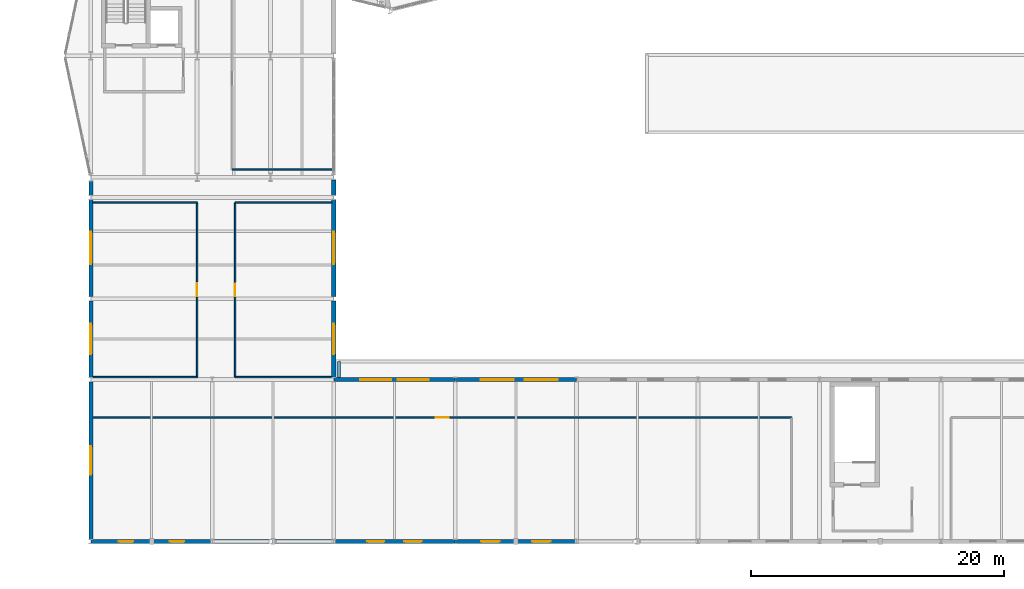
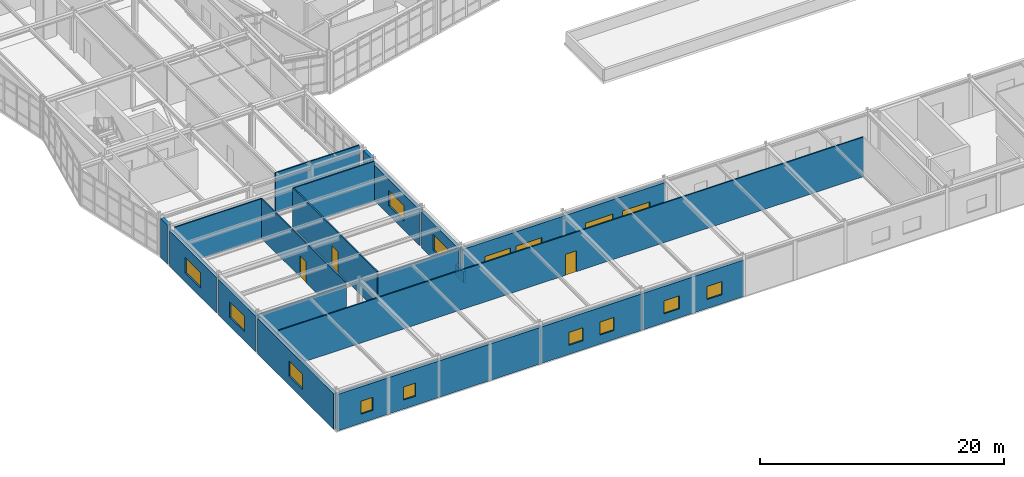
# One storey, part 78 of 99: 22 walls, 15 windows, 3 doors, 18 openings.
"""IFC4 building model written with IfcOpenShell, lengths in metres."""

from ifc_helpers import new_model, si_unit, direction, frame, frame_2d, origin, place, context, subcontext, project, spatial, rectangle, extrude, material, layer, layer_set, type_object, element, fill, save


model = new_model("IFC4")

# Units and contexts
model_context = context("Model", 3, precision=1e-05, world=origin(), true_north=direction((0.0, 1.0)))
body_context = subcontext(model_context, "Body", "Model", "MODEL_VIEW")
ifc_project = project(units=[si_unit("LENGTHUNIT", "METRE"), si_unit("AREAUNIT", "SQUARE_METRE"), si_unit("VOLUMEUNIT", "CUBIC_METRE"), si_unit("PLANEANGLEUNIT", "RADIAN"), si_unit("MASSUNIT", "GRAM", prefix="KILO")], contexts=[model_context])

# Site, building, storey
site_placement = place(None, origin())
site = spatial("IfcSite", under=ifc_project, at=site_placement, CompositionType="ELEMENT")
building_placement = place(site_placement, origin())
building = spatial("IfcBuilding", under=site, at=building_placement, Name="Nordkorset Police Headquarters", CompositionType="ELEMENT")
storey_placement = place(building_placement, frame((0.0, 0.0, 5.25)))
storey = spatial("IfcBuildingStorey", under=building, at=storey_placement, Name="L01", CompositionType="ELEMENT", Elevation=5.25)

# Wall, openings, windows
ifc_material_1 = material(Name="Precast concrete C40/50", Category="concrete")
ifc_layer_1 = layer(ifc_material_1, 0.320068359375, Name="Precast concrete C40/50")
ifc_layer_set_1 = layer_set([ifc_layer_1], Name="Precast concrete C40/50")
wall_type_1 = type_object("IfcWallType", Name="Wall_ExtPlinth_320", PredefinedType="SOLIDWALL", material=ifc_layer_set_1)
wall_1_placement = place(storey_placement, frame((0.008056640625, 0.0, 0.0), z_axis=(0.0, 0.0, 1.0), x_axis=(1.0, 0.0, 0.0)))
wall_1 = element("IfcWall", 1, at=wall_1_placement, inside=storey, type_object=wall_type_1, Name="Exterior Insulated Precast Wall L01 V7S-0", PredefinedType="SOLIDWALL", context=body_context, shape_type="SweptSolid", body=[
    extrude(rectangle(XDim=9.583984375, YDim=0.320068359375, at=frame_2d((4.7919921875, 0.0))), origin(), (0.0, 0.0, 1.0), 3.635009765625),
])
opening_1_placement = place(wall_1_placement, frame((2.2001953125, 0.0, 0.89990234375)))
opening_1 = element("IfcOpeningElement", 2, at=opening_1_placement, cuts=wall_1, Name="Opening WN-48", PredefinedType="OPENING", context=body_context, shape_type="SweptSolid", body=[
    extrude(rectangle(XDim=1.14990234375, YDim=1.300048828125, at=frame_2d((0.574951171875, 0.64990234375))), frame((0.0, 0.169921875, 0.0), z_axis=(0.0, -1.0, 0.0), x_axis=(1.0, 0.0, 0.0)), (0.0, 0.0, 1.0), 0.340087890625),
])
opening_2_placement = place(wall_1_placement, frame((6.233642578125, 0.0, 0.89990234375)))
opening_2 = element("IfcOpeningElement", 3, at=opening_2_placement, cuts=wall_1, Name="Opening WN-48", PredefinedType="OPENING", context=body_context, shape_type="SweptSolid", body=[
    extrude(rectangle(XDim=1.14990234375, YDim=1.300048828125, at=frame_2d((0.574951171875, 0.64990234375))), frame((0.0, 0.169921875, 0.0), z_axis=(0.0, -1.0, 0.0), x_axis=(1.0, 0.0, 0.0)), (0.0, 0.0, 1.0), 0.340087890625),
])
ifc_material_2 = material(Name="Low-iron triple glazing", Category="glass")
window_type_1 = type_object("IfcWindowType", Name="Win_1150x1300", PartitioningType="SINGLE_PANEL", PredefinedType="WINDOW", material=ifc_material_2)
window_1_placement = place(opening_1_placement, origin())
window_1 = element("IfcWindow", 4, at=window_1_placement, inside=storey, type_object=window_type_1, Name="Triple-Glazed Exterior Window L01 V7S-0-1", OverallHeight=1.300048828125, OverallWidth=1.14990234375, PartitioningType="SINGLE_PANEL", PredefinedType="WINDOW", context=body_context, shape_type="SweptSolid", body=[
    extrude(rectangle(XDim=1.14990234375, YDim=1.300048828125, at=frame_2d((0.574951171875, 0.64990234375))), frame((0.0, 0.030029296875, 0.0), z_axis=(0.0, -1.0, 0.0), x_axis=(1.0, 0.0, 0.0)), (0.0, 0.0, 1.0), 0.06005859375),
])
fill(opening_1, window_1)
window_2_placement = place(opening_2_placement, origin())
window_2 = element("IfcWindow", 5, at=window_2_placement, inside=storey, type_object=window_type_1, Name="Triple-Glazed Exterior Window L01 V7S-0-2", OverallHeight=1.300048828125, OverallWidth=1.14990234375, PartitioningType="SINGLE_PANEL", PredefinedType="WINDOW", context=body_context, shape_type="SweptSolid", body=[
    extrude(rectangle(XDim=1.14990234375, YDim=1.300048828125, at=frame_2d((0.574951171875, 0.64990234375))), frame((0.0, 0.030029296875, 0.0), z_axis=(0.0, -1.0, 0.0), x_axis=(1.0, 0.0, 0.0)), (0.0, 0.0, 1.0), 0.06005859375),
])
fill(opening_2, window_2)

# Wall
wall_2_placement = place(storey_placement, frame((9.60791015625, 0.0, 0.0), z_axis=(0.0, 0.0, 1.0), x_axis=(1.0, 0.0, 0.0)))
element("IfcWall", 6, at=wall_2_placement, inside=storey, type_object=wall_type_1, Name="Exterior Insulated Precast Wall L01 V7S-1", PredefinedType="SOLIDWALL", context=body_context, shape_type="SweptSolid", body=[
    extrude(rectangle(XDim=9.583984375, YDim=0.320068359375, at=frame_2d((4.7919921875, 0.0))), origin(), (0.0, 0.0, 1.0), 3.635009765625),
])

# Wall, openings, windows
wall_3_placement = place(storey_placement, frame((19.2080078125, 0.0, 0.0), z_axis=(0.0, 0.0, 1.0), x_axis=(1.0, 0.0, 0.0)))
wall_3 = element("IfcWall", 7, at=wall_3_placement, inside=storey, type_object=wall_type_1, Name="Exterior Insulated Precast Wall L01 V7S-2", PredefinedType="SOLIDWALL", context=body_context, shape_type="SweptSolid", body=[
    extrude(rectangle(XDim=9.583984375, YDim=0.320068359375, at=frame_2d((4.7919921875, 0.0))), origin(), (0.0, 0.0, 1.0), 3.635009765625),
])
opening_3_placement = place(wall_3_placement, frame((2.650390625, 0.0, 0.89990234375)))
opening_3 = element("IfcOpeningElement", 8, at=opening_3_placement, cuts=wall_3, Name="Opening WN-27", PredefinedType="OPENING", context=body_context, shape_type="SweptSolid", body=[
    extrude(rectangle(XDim=1.35009765625, YDim=1.300048828125, at=frame_2d((0.675048828125, 0.64990234375))), frame((0.0, 0.169921875, 0.0), z_axis=(0.0, -1.0, 0.0), x_axis=(1.0, 0.0, 0.0)), (0.0, 0.0, 1.0), 0.340087890625),
])
opening_4_placement = place(wall_3_placement, frame((5.583740234375, 0.0, 0.89990234375)))
opening_4 = element("IfcOpeningElement", 9, at=opening_4_placement, cuts=wall_3, Name="Opening WN-27", PredefinedType="OPENING", context=body_context, shape_type="SweptSolid", body=[
    extrude(rectangle(XDim=1.35009765625, YDim=1.300048828125, at=frame_2d((0.675048828125, 0.64990234375))), frame((0.0, 0.169921875, 0.0), z_axis=(0.0, -1.0, 0.0), x_axis=(1.0, 0.0, 0.0)), (0.0, 0.0, 1.0), 0.340087890625),
])
ifc_material_3 = material(Name="Low-iron triple glazing", Category="glass")
window_type_2 = type_object("IfcWindowType", Name="Win_1350x1300", PartitioningType="SINGLE_PANEL", PredefinedType="WINDOW", material=ifc_material_3)
window_3_placement = place(opening_3_placement, origin())
window_3 = element("IfcWindow", 10, at=window_3_placement, inside=storey, type_object=window_type_2, Name="Triple-Glazed Exterior Window L01 V7S-2-1", OverallHeight=1.300048828125, OverallWidth=1.35009765625, PartitioningType="SINGLE_PANEL", PredefinedType="WINDOW", context=body_context, shape_type="SweptSolid", body=[
    extrude(rectangle(XDim=1.35009765625, YDim=1.300048828125, at=frame_2d((0.675048828125, 0.64990234375))), frame((0.0, 0.030029296875, 0.0), z_axis=(0.0, -1.0, 0.0), x_axis=(1.0, 0.0, 0.0)), (0.0, 0.0, 1.0), 0.06005859375),
])
fill(opening_3, window_3)
window_4_placement = place(opening_4_placement, origin())
window_4 = element("IfcWindow", 11, at=window_4_placement, inside=storey, type_object=window_type_2, Name="Triple-Glazed Exterior Window L01 V7S-2-2", OverallHeight=1.300048828125, OverallWidth=1.35009765625, PartitioningType="SINGLE_PANEL", PredefinedType="WINDOW", context=body_context, shape_type="SweptSolid", body=[
    extrude(rectangle(XDim=1.35009765625, YDim=1.300048828125, at=frame_2d((0.675048828125, 0.64990234375))), frame((0.0, 0.030029296875, 0.0), z_axis=(0.0, -1.0, 0.0), x_axis=(1.0, 0.0, 0.0)), (0.0, 0.0, 1.0), 0.06005859375),
])
fill(opening_4, window_4)

wall_4_placement = place(storey_placement, frame((28.80810546875, 0.0, 0.0), z_axis=(0.0, 0.0, 1.0), x_axis=(1.0, 0.0, 0.0)))
wall_4 = element("IfcWall", 12, at=wall_4_placement, inside=storey, type_object=wall_type_1, Name="Exterior Insulated Precast Wall L01 V7S-3", PredefinedType="SOLIDWALL", context=body_context, shape_type="SweptSolid", body=[
    extrude(rectangle(XDim=9.583984375, YDim=0.320068359375, at=frame_2d((4.7919921875, 0.0))), origin(), (0.0, 0.0, 1.0), 3.635009765625),
])
opening_5_placement = place(wall_4_placement, frame((2.05029296875, 0.0, 0.89990234375)))
opening_5 = element("IfcOpeningElement", 13, at=opening_5_placement, cuts=wall_4, Name="Opening WN-02", PredefinedType="OPENING", context=body_context, shape_type="SweptSolid", body=[
    extrude(rectangle(XDim=1.449951171875, YDim=1.300048828125, at=frame_2d((0.72509765625, 0.64990234375))), frame((0.0, 0.169921875, 0.0), z_axis=(0.0, -1.0, 0.0), x_axis=(1.0, 0.0, 0.0)), (0.0, 0.0, 1.0), 0.340087890625),
])
opening_6_placement = place(wall_4_placement, frame((6.083740234375, 0.0, 0.89990234375)))
opening_6 = element("IfcOpeningElement", 14, at=opening_6_placement, cuts=wall_4, Name="Opening WN-02", PredefinedType="OPENING", context=body_context, shape_type="SweptSolid", body=[
    extrude(rectangle(XDim=1.449951171875, YDim=1.300048828125, at=frame_2d((0.72509765625, 0.64990234375))), frame((0.0, 0.169921875, 0.0), z_axis=(0.0, -1.0, 0.0), x_axis=(1.0, 0.0, 0.0)), (0.0, 0.0, 1.0), 0.340087890625),
])
ifc_material_4 = material(Name="Low-iron triple glazing", Category="glass")
window_type_3 = type_object("IfcWindowType", Name="Win_1450x1300", PartitioningType="SINGLE_PANEL", PredefinedType="WINDOW", material=ifc_material_4)
window_5_placement = place(opening_5_placement, origin())
window_5 = element("IfcWindow", 15, at=window_5_placement, inside=storey, type_object=window_type_3, Name="Triple-Glazed Exterior Window L01 V7S-3-1", OverallHeight=1.300048828125, OverallWidth=1.449951171875, PartitioningType="SINGLE_PANEL", PredefinedType="WINDOW", context=body_context, shape_type="SweptSolid", body=[
    extrude(rectangle(XDim=1.449951171875, YDim=1.300048828125, at=frame_2d((0.72509765625, 0.64990234375))), frame((0.0, 0.030029296875, 0.0), z_axis=(0.0, -1.0, 0.0), x_axis=(1.0, 0.0, 0.0)), (0.0, 0.0, 1.0), 0.06005859375),
])
fill(opening_5, window_5)
window_6_placement = place(opening_6_placement, origin())
window_6 = element("IfcWindow", 16, at=window_6_placement, inside=storey, type_object=window_type_3, Name="Triple-Glazed Exterior Window L01 V7S-3-2", OverallHeight=1.300048828125, OverallWidth=1.449951171875, PartitioningType="SINGLE_PANEL", PredefinedType="WINDOW", context=body_context, shape_type="SweptSolid", body=[
    extrude(rectangle(XDim=1.449951171875, YDim=1.300048828125, at=frame_2d((0.72509765625, 0.64990234375))), frame((0.0, 0.030029296875, 0.0), z_axis=(0.0, -1.0, 0.0), x_axis=(1.0, 0.0, 0.0)), (0.0, 0.0, 1.0), 0.06005859375),
])
fill(opening_6, window_6)

# Wall, opening, window
wall_5_placement = place(storey_placement, frame((0.0, 0.172119140625, 0.0), z_axis=(0.0, 0.0, 1.0), x_axis=(0.0, 1.0, 0.0)))
wall_5 = element("IfcWall", 17, at=wall_5_placement, inside=storey, type_object=wall_type_1, Name="Exterior Insulated Precast Wall L01 V7W-OUT-0", PredefinedType="SOLIDWALL", context=body_context, shape_type="SweptSolid", body=[
    extrude(rectangle(XDim=12.455810546875, YDim=0.320068359375, at=frame_2d((6.22802734375, 0.0))), origin(), (0.0, 0.0, 1.0), 3.554931640625),
])
opening_7_placement = place(wall_5_placement, frame((5.10302734375, 0.0, 0.89990234375)))
opening_7 = element("IfcOpeningElement", 18, at=opening_7_placement, cuts=wall_5, Name="Opening WN-41", PredefinedType="OPENING", context=body_context, shape_type="SweptSolid", body=[
    extrude(rectangle(XDim=2.25, YDim=1.550048828125, at=frame_2d((1.125, 0.77490234375))), frame((0.0, 0.169921875, 0.0), z_axis=(0.0, -1.0, 0.0), x_axis=(1.0, 0.0, 0.0)), (0.0, 0.0, 1.0), 0.340087890625),
])
ifc_material_5 = material(Name="Low-iron triple glazing", Category="glass")
window_type_4 = type_object("IfcWindowType", Name="Win_2250x1550", PartitioningType="SINGLE_PANEL", PredefinedType="WINDOW", material=ifc_material_5)
window_7_placement = place(opening_7_placement, origin())
window_7 = element("IfcWindow", 19, at=window_7_placement, inside=storey, type_object=window_type_4, Name="Triple-Glazed Exterior Window L01 V7W-OUT-0-1", OverallHeight=1.550048828125, OverallWidth=2.25, PartitioningType="SINGLE_PANEL", PredefinedType="WINDOW", context=body_context, shape_type="SweptSolid", body=[
    extrude(rectangle(XDim=2.25, YDim=1.550048828125, at=frame_2d((1.125, 0.77490234375))), frame((0.0, 0.030029296875, 0.0), z_axis=(0.0, -1.0, 0.0), x_axis=(1.0, 0.0, 0.0)), (0.0, 0.0, 1.0), 0.06005859375),
])
fill(opening_7, window_7)

wall_6_placement = place(storey_placement, frame((0.0, 12.971923828125, 0.0), z_axis=(0.0, 0.0, 1.0), x_axis=(0.0, 1.0, 0.0)))
wall_6 = element("IfcWall", 20, at=wall_6_placement, inside=storey, type_object=wall_type_1, Name="Exterior Insulated Precast Wall L01 V7W-OUT-1", PredefinedType="SOLIDWALL", context=body_context, shape_type="SweptSolid", body=[
    extrude(rectangle(XDim=6.05615234375, YDim=0.320068359375, at=frame_2d((3.028076171875, 0.0))), origin(), (0.0, 0.0, 1.0), 3.554931640625),
])
opening_8_placement = place(wall_6_placement, frame((1.827880859375, 0.0, 0.89990234375)))
opening_8 = element("IfcOpeningElement", 21, at=opening_8_placement, cuts=wall_6, Name="Opening WN-21", PredefinedType="OPENING", context=body_context, shape_type="SweptSolid", body=[
    extrude(rectangle(XDim=2.39990234375, YDim=1.550048828125, at=frame_2d((1.199951171875, 0.77490234375))), frame((0.0, 0.169921875, 0.0), z_axis=(0.0, -1.0, 0.0), x_axis=(1.0, 0.0, 0.0)), (0.0, 0.0, 1.0), 0.340087890625),
])
ifc_material_6 = material(Name="Low-iron triple glazing", Category="glass")
window_type_5 = type_object("IfcWindowType", Name="Win_2400x1550", PartitioningType="SINGLE_PANEL", PredefinedType="WINDOW", material=ifc_material_6)
window_8_placement = place(opening_8_placement, origin())
window_8 = element("IfcWindow", 22, at=window_8_placement, inside=storey, type_object=window_type_5, Name="Triple-Glazed Exterior Window L01 V7W-OUT-1-1", OverallHeight=1.550048828125, OverallWidth=2.39990234375, PartitioningType="SINGLE_PANEL", PredefinedType="WINDOW", context=body_context, shape_type="SweptSolid", body=[
    extrude(rectangle(XDim=2.39990234375, YDim=1.550048828125, at=frame_2d((1.199951171875, 0.77490234375))), frame((0.0, 0.030029296875, 0.0), z_axis=(0.0, -1.0, 0.0), x_axis=(1.0, 0.0, 0.0)), (0.0, 0.0, 1.0), 0.06005859375),
])
fill(opening_8, window_8)

wall_7_placement = place(storey_placement, frame((0.0, 19.3720703125, 0.0), z_axis=(0.0, 0.0, 1.0), x_axis=(0.0, 1.0, 0.0)))
wall_7 = element("IfcWall", 23, at=wall_7_placement, inside=storey, type_object=wall_type_1, Name="Exterior Insulated Precast Wall L01 V7W-OUT-2", PredefinedType="SOLIDWALL", context=body_context, shape_type="SweptSolid", body=[
    extrude(rectangle(XDim=7.656005859375, YDim=0.320068359375, at=frame_2d((3.828125, 0.0))), origin(), (0.0, 0.0, 1.0), 3.554931640625),
])
opening_9_placement = place(wall_7_placement, frame((2.552978515625, 0.0, 0.89990234375)))
opening_9 = element("IfcOpeningElement", 24, at=opening_9_placement, cuts=wall_7, Name="Opening WN-06", PredefinedType="OPENING", context=body_context, shape_type="SweptSolid", body=[
    extrude(rectangle(XDim=2.550048828125, YDim=1.550048828125, at=frame_2d((1.27490234375, 0.77490234375))), frame((0.0, 0.169921875, 0.0), z_axis=(0.0, -1.0, 0.0), x_axis=(1.0, 0.0, 0.0)), (0.0, 0.0, 1.0), 0.340087890625),
])
ifc_material_7 = material(Name="Low-iron triple glazing", Category="glass")
window_type_6 = type_object("IfcWindowType", Name="Win_2550x1550", PartitioningType="SINGLE_PANEL", PredefinedType="WINDOW", material=ifc_material_7)
window_9_placement = place(opening_9_placement, origin())
window_9 = element("IfcWindow", 25, at=window_9_placement, inside=storey, type_object=window_type_6, Name="Triple-Glazed Exterior Window L01 V7W-OUT-2-1", OverallHeight=1.550048828125, OverallWidth=2.550048828125, PartitioningType="SINGLE_PANEL", PredefinedType="WINDOW", context=body_context, shape_type="SweptSolid", body=[
    extrude(rectangle(XDim=2.550048828125, YDim=1.550048828125, at=frame_2d((1.27490234375, 0.77490234375))), frame((0.0, 0.030029296875, 0.0), z_axis=(0.0, -1.0, 0.0), x_axis=(1.0, 0.0, 0.0)), (0.0, 0.0, 1.0), 0.06005859375),
])
fill(opening_9, window_9)

wall_8_placement = place(storey_placement, frame((19.199951171875, 12.971923828125, 0.0), z_axis=(0.0, 0.0, 1.0), x_axis=(0.0, 1.0, 0.0)))
wall_8 = element("IfcWall", 26, at=wall_8_placement, inside=storey, type_object=wall_type_1, Name="Exterior Insulated Precast Wall L01 V7W-IN-0", PredefinedType="SOLIDWALL", context=body_context, shape_type="SweptSolid", body=[
    extrude(rectangle(XDim=6.05615234375, YDim=0.320068359375, at=frame_2d((3.028076171875, 0.0))), origin(), (0.0, 0.0, 1.0), 3.554931640625),
])
opening_10_placement = place(wall_8_placement, frame((1.827880859375, 0.0, 0.89990234375)))
opening_10 = element("IfcOpeningElement", 27, at=opening_10_placement, cuts=wall_8, Name="Opening WN-21", PredefinedType="OPENING", context=body_context, shape_type="SweptSolid", body=[
    extrude(rectangle(XDim=2.39990234375, YDim=1.550048828125, at=frame_2d((1.199951171875, 0.77490234375))), frame((0.0, 0.169921875, 0.0), z_axis=(0.0, -1.0, 0.0), x_axis=(1.0, 0.0, 0.0)), (0.0, 0.0, 1.0), 0.340087890625),
])
window_10_placement = place(opening_10_placement, origin())
window_10 = element("IfcWindow", 28, at=window_10_placement, inside=storey, type_object=window_type_5, Name="Triple-Glazed Exterior Window L01 V7W-IN-0-1", OverallHeight=1.550048828125, OverallWidth=2.39990234375, PartitioningType="SINGLE_PANEL", PredefinedType="WINDOW", context=body_context, shape_type="SweptSolid", body=[
    extrude(rectangle(XDim=2.39990234375, YDim=1.550048828125, at=frame_2d((1.199951171875, 0.77490234375))), frame((0.0, 0.030029296875, 0.0), z_axis=(0.0, -1.0, 0.0), x_axis=(1.0, 0.0, 0.0)), (0.0, 0.0, 1.0), 0.06005859375),
])
fill(opening_10, window_10)

wall_9_placement = place(storey_placement, frame((19.199951171875, 19.3720703125, 0.0), z_axis=(0.0, 0.0, 1.0), x_axis=(0.0, 1.0, 0.0)))
wall_9 = element("IfcWall", 29, at=wall_9_placement, inside=storey, type_object=wall_type_1, Name="Exterior Insulated Precast Wall L01 V7W-IN-1", PredefinedType="SOLIDWALL", context=body_context, shape_type="SweptSolid", body=[
    extrude(rectangle(XDim=7.656005859375, YDim=0.320068359375, at=frame_2d((3.828125, 0.0))), origin(), (0.0, 0.0, 1.0), 3.554931640625),
])
opening_11_placement = place(wall_9_placement, frame((2.552978515625, 0.0, 0.89990234375)))
opening_11 = element("IfcOpeningElement", 30, at=opening_11_placement, cuts=wall_9, Name="Opening WN-06", PredefinedType="OPENING", context=body_context, shape_type="SweptSolid", body=[
    extrude(rectangle(XDim=2.550048828125, YDim=1.550048828125, at=frame_2d((1.27490234375, 0.77490234375))), frame((0.0, 0.169921875, 0.0), z_axis=(0.0, -1.0, 0.0), x_axis=(1.0, 0.0, 0.0)), (0.0, 0.0, 1.0), 0.340087890625),
])
window_11_placement = place(opening_11_placement, origin())
window_11 = element("IfcWindow", 31, at=window_11_placement, inside=storey, type_object=window_type_6, Name="Triple-Glazed Exterior Window L01 V7W-IN-1-1", OverallHeight=1.550048828125, OverallWidth=2.550048828125, PartitioningType="SINGLE_PANEL", PredefinedType="WINDOW", context=body_context, shape_type="SweptSolid", body=[
    extrude(rectangle(XDim=2.550048828125, YDim=1.550048828125, at=frame_2d((1.27490234375, 0.77490234375))), frame((0.0, 0.030029296875, 0.0), z_axis=(0.0, -1.0, 0.0), x_axis=(1.0, 0.0, 0.0)), (0.0, 0.0, 1.0), 0.06005859375),
])
fill(opening_11, window_11)

# Wall, openings, windows
wall_10_placement = place(storey_placement, frame((19.2080078125, 12.800048828125, 0.0), z_axis=(0.0, 0.0, 1.0), x_axis=(1.0, 0.0, 0.0)))
wall_10 = element("IfcWall", 32, at=wall_10_placement, inside=storey, type_object=wall_type_1, Name="Exterior Insulated Precast Wall L01 V7N-2", PredefinedType="SOLIDWALL", context=body_context, shape_type="SweptSolid", body=[
    extrude(rectangle(XDim=9.583984375, YDim=0.320068359375, at=frame_2d((4.7919921875, 0.0))), origin(), (0.0, 0.0, 1.0), 3.635009765625),
])
opening_12_placement = place(wall_10_placement, frame((2.100341796875, 0.0, 0.89990234375)))
opening_12 = element("IfcOpeningElement", 33, at=opening_12_placement, cuts=wall_10, Name="Opening WN-46", PredefinedType="OPENING", context=body_context, shape_type="SweptSolid", body=[
    extrude(rectangle(XDim=2.449951171875, YDim=1.300048828125, at=frame_2d((1.22509765625, 0.64990234375))), frame((0.0, 0.169921875, 0.0), z_axis=(0.0, -1.0, 0.0), x_axis=(1.0, 0.0, 0.0)), (0.0, 0.0, 1.0), 0.340087890625),
])
opening_13_placement = place(wall_10_placement, frame((5.03369140625, 0.0, 0.89990234375)))
opening_13 = element("IfcOpeningElement", 34, at=opening_13_placement, cuts=wall_10, Name="Opening WN-46", PredefinedType="OPENING", context=body_context, shape_type="SweptSolid", body=[
    extrude(rectangle(XDim=2.449951171875, YDim=1.300048828125, at=frame_2d((1.22509765625, 0.64990234375))), frame((0.0, 0.169921875, 0.0), z_axis=(0.0, -1.0, 0.0), x_axis=(1.0, 0.0, 0.0)), (0.0, 0.0, 1.0), 0.340087890625),
])
ifc_material_8 = material(Name="Low-iron triple glazing", Category="glass")
window_type_7 = type_object("IfcWindowType", Name="Win_2450x1300", PartitioningType="SINGLE_PANEL", PredefinedType="WINDOW", material=ifc_material_8)
window_12_placement = place(opening_12_placement, origin())
window_12 = element("IfcWindow", 35, at=window_12_placement, inside=storey, type_object=window_type_7, Name="Triple-Glazed Exterior Window L01 V7N-2-1", OverallHeight=1.300048828125, OverallWidth=2.449951171875, PartitioningType="SINGLE_PANEL", PredefinedType="WINDOW", context=body_context, shape_type="SweptSolid", body=[
    extrude(rectangle(XDim=2.449951171875, YDim=1.300048828125, at=frame_2d((1.22509765625, 0.64990234375))), frame((0.0, 0.030029296875, 0.0), z_axis=(0.0, -1.0, 0.0), x_axis=(1.0, 0.0, 0.0)), (0.0, 0.0, 1.0), 0.06005859375),
])
fill(opening_12, window_12)
window_13_placement = place(opening_13_placement, origin())
window_13 = element("IfcWindow", 36, at=window_13_placement, inside=storey, type_object=window_type_7, Name="Triple-Glazed Exterior Window L01 V7N-2-2", OverallHeight=1.300048828125, OverallWidth=2.449951171875, PartitioningType="SINGLE_PANEL", PredefinedType="WINDOW", context=body_context, shape_type="SweptSolid", body=[
    extrude(rectangle(XDim=2.449951171875, YDim=1.300048828125, at=frame_2d((1.22509765625, 0.64990234375))), frame((0.0, 0.030029296875, 0.0), z_axis=(0.0, -1.0, 0.0), x_axis=(1.0, 0.0, 0.0)), (0.0, 0.0, 1.0), 0.06005859375),
])
fill(opening_13, window_13)

wall_11_placement = place(storey_placement, frame((28.80810546875, 12.800048828125, 0.0), z_axis=(0.0, 0.0, 1.0), x_axis=(1.0, 0.0, 0.0)))
wall_11 = element("IfcWall", 37, at=wall_11_placement, inside=storey, type_object=wall_type_1, Name="Exterior Insulated Precast Wall L01 V7N-3", PredefinedType="SOLIDWALL", context=body_context, shape_type="SweptSolid", body=[
    extrude(rectangle(XDim=9.583984375, YDim=0.320068359375, at=frame_2d((4.7919921875, 0.0))), origin(), (0.0, 0.0, 1.0), 3.635009765625),
])
opening_14_placement = place(wall_11_placement, frame((2.025390625, 0.0, 0.89990234375)))
opening_14 = element("IfcOpeningElement", 38, at=opening_14_placement, cuts=wall_11, Name="Opening WN-34", PredefinedType="OPENING", context=body_context, shape_type="SweptSolid", body=[
    extrude(rectangle(XDim=2.60009765625, YDim=1.300048828125, at=frame_2d((1.300048828125, 0.64990234375))), frame((0.0, 0.169921875, 0.0), z_axis=(0.0, -1.0, 0.0), x_axis=(1.0, 0.0, 0.0)), (0.0, 0.0, 1.0), 0.340087890625),
])
opening_15_placement = place(wall_11_placement, frame((5.5087890625, 0.0, 0.89990234375)))
opening_15 = element("IfcOpeningElement", 39, at=opening_15_placement, cuts=wall_11, Name="Opening WN-34", PredefinedType="OPENING", context=body_context, shape_type="SweptSolid", body=[
    extrude(rectangle(XDim=2.60009765625, YDim=1.300048828125, at=frame_2d((1.300048828125, 0.64990234375))), frame((0.0, 0.169921875, 0.0), z_axis=(0.0, -1.0, 0.0), x_axis=(1.0, 0.0, 0.0)), (0.0, 0.0, 1.0), 0.340087890625),
])
ifc_material_9 = material(Name="Low-iron triple glazing", Category="glass")
window_type_8 = type_object("IfcWindowType", Name="Win_2600x1300", PartitioningType="SINGLE_PANEL", PredefinedType="WINDOW", material=ifc_material_9)
window_14_placement = place(opening_14_placement, origin())
window_14 = element("IfcWindow", 40, at=window_14_placement, inside=storey, type_object=window_type_8, Name="Triple-Glazed Exterior Window L01 V7N-3-1", OverallHeight=1.300048828125, OverallWidth=2.60009765625, PartitioningType="SINGLE_PANEL", PredefinedType="WINDOW", context=body_context, shape_type="SweptSolid", body=[
    extrude(rectangle(XDim=2.60009765625, YDim=1.300048828125, at=frame_2d((1.300048828125, 0.64990234375))), frame((0.0, 0.030029296875, 0.0), z_axis=(0.0, -1.0, 0.0), x_axis=(1.0, 0.0, 0.0)), (0.0, 0.0, 1.0), 0.06005859375),
])
fill(opening_14, window_14)
window_15_placement = place(opening_15_placement, origin())
window_15 = element("IfcWindow", 41, at=window_15_placement, inside=storey, type_object=window_type_8, Name="Triple-Glazed Exterior Window L01 V7N-3-2", OverallHeight=1.300048828125, OverallWidth=2.60009765625, PartitioningType="SINGLE_PANEL", PredefinedType="WINDOW", context=body_context, shape_type="SweptSolid", body=[
    extrude(rectangle(XDim=2.60009765625, YDim=1.300048828125, at=frame_2d((1.300048828125, 0.64990234375))), frame((0.0, 0.030029296875, 0.0), z_axis=(0.0, -1.0, 0.0), x_axis=(1.0, 0.0, 0.0)), (0.0, 0.0, 1.0), 0.06005859375),
])
fill(opening_15, window_15)

# Walls
wall_12_placement = place(storey_placement, frame((0.0, 27.3720703125, 0.0), z_axis=(0.0, 0.0, 1.0), x_axis=(0.0, 1.0, 0.0)))
element("IfcWall", 42, at=wall_12_placement, inside=storey, type_object=wall_type_1, Name="Exterior Insulated Precast Wall L01 V7W-JNC-O", PredefinedType="SOLIDWALL", context=body_context, shape_type="SweptSolid", body=[
    extrude(rectangle(XDim=1.1259765625, YDim=0.320068359375, at=frame_2d((0.56298828125, 0.0))), origin(), (0.0, 0.0, 1.0), 3.89990234375),
])
wall_13_placement = place(storey_placement, frame((19.199951171875, 27.3720703125, 0.0), z_axis=(0.0, 0.0, 1.0), x_axis=(0.0, 1.0, 0.0)))
element("IfcWall", 43, at=wall_13_placement, inside=storey, type_object=wall_type_1, Name="Exterior Insulated Precast Wall L01 V7W-JNC-I", PredefinedType="SOLIDWALL", context=body_context, shape_type="SweptSolid", body=[
    extrude(rectangle(XDim=1.225830078125, YDim=0.320068359375, at=frame_2d((0.61279296875, 0.0))), origin(), (0.0, 0.0, 1.0), 3.89990234375),
])
ifc_material_10 = material(Name="Precast concrete C40/50", Category="concrete")
ifc_layer_2 = layer(ifc_material_10, 0.239990234375, Name="Precast concrete C40/50")
ifc_layer_set_2 = layer_set([ifc_layer_2], Name="Precast concrete C40/50")
wall_type_2 = type_object("IfcWallType", Name="Wall_Parapet_240", PredefinedType="PARAPET", material=ifc_layer_set_2)
wall_14_placement = place(storey_placement, frame((19.60009765625, 14.25, 0.0), z_axis=(0.0, 0.0, 1.0), x_axis=(0.0, -1.0, 0.0)))
element("IfcWall", 44, at=wall_14_placement, inside=storey, type_object=wall_type_2, Name="Flat Roof Parapet Wall V7STEP-L01-4", PredefinedType="PARAPET", context=body_context, shape_type="SweptSolid", body=[
    extrude(rectangle(XDim=1.300048828125, YDim=0.239990234375, at=frame_2d((0.64990234375, 0.0))), origin(), (0.0, 0.0, 1.0), 1.10009765625),
])
ifc_material_11 = material(Name="Gypsum board", Category="gypsum")
ifc_layer_3 = layer(ifc_material_11, 0.1201171875, Name="Gypsum board")
ifc_layer_set_3 = layer_set([ifc_layer_3], Name="Gypsum board")
wall_type_3 = type_object("IfcWallType", Name="Wall_Part_120", PredefinedType="PARTITIONING", material=ifc_layer_set_3)
wall_15_placement = place(storey_placement, frame((11.159912109375, 29.39990234375, 0.0), z_axis=(0.0, 0.0, 1.0), x_axis=(1.0, 0.0, 0.0)))
element("IfcWall", 45, at=wall_15_placement, inside=storey, type_object=wall_type_3, Name="Interior Partition Wall Forensic Optical Examination Studio", PredefinedType="PARTITIONING", context=body_context, shape_type="SweptSolid", body=[
    extrude(rectangle(XDim=7.955078125, YDim=0.1201171875, at=frame_2d((3.9775390625, 0.0))), origin(), (0.0, 0.0, 1.0), 3.9599609375),
])

# Wall, opening, door
wall_16_placement = place(storey_placement, frame((55.39990234375, 9.800048828125, 0.0), z_axis=(0.0, 0.0, 1.0), x_axis=(-1.0, 0.0, 0.0)))
wall_16 = element("IfcWall", 46, at=wall_16_placement, inside=storey, type_object=wall_type_3, Name="Interior Partition Wall Fleet Dispatch and Telemetry Office", PredefinedType="PARTITIONING", context=body_context, shape_type="SweptSolid", body=[
    extrude(rectangle(XDim=55.244873046875, YDim=0.1201171875, at=frame_2d((27.62255859375, 0.0))), origin(), (0.0, 0.0, 1.0), 3.9599609375),
])
opening_16_placement = place(wall_16_placement, frame((27.112548828125, 0.0, 0.0)))
opening_16 = element("IfcOpeningElement", 47, at=opening_16_placement, cuts=wall_16, Name="Opening DR-19", PredefinedType="OPENING", context=body_context, shape_type="SweptSolid", body=[
    extrude(rectangle(XDim=1.02001953125, YDim=2.10009765625, at=frame_2d((0.510009765625, 1.050048828125))), frame((0.0, 0.070068359375, 0.0), z_axis=(0.0, -1.0, 0.0), x_axis=(1.0, 0.0, 0.0)), (0.0, 0.0, 1.0), 0.14013671875),
])
ifc_material_12 = material(Name="Glulam GL30c", Category="wood")
door_type_1 = type_object("IfcDoorType", Name="Door_Office_1020x2100", OperationType="NOTDEFINED", PredefinedType="DOOR", material=ifc_material_12)
door_1_placement = place(opening_16_placement, origin())
door_1 = element("IfcDoor", 48, at=door_1_placement, inside=storey, type_object=door_type_1, Name="Interior Door Fleet Dispatch and Telemetry Office", OperationType="SINGLE_SWING_LEFT", OverallHeight=2.10009765625, OverallWidth=1.02001953125, PredefinedType="DOOR", context=body_context, shape_type="SweptSolid", body=[
    extrude(rectangle(XDim=1.02001953125, YDim=2.10009765625, at=frame_2d((0.510009765625, 1.050048828125))), frame((0.0, 0.02490234375, 0.0), z_axis=(0.0, -1.0, 0.0), x_axis=(1.0, 0.0, 0.0)), (0.0, 0.0, 1.0), 0.050048828125),
])
fill(opening_16, door_1)

# Wall
wall_17_placement = place(storey_placement, frame((0.155029296875, 13.0, 0.0), z_axis=(0.0, 0.0, 1.0), x_axis=(1.0, 0.0, 0.0)))
element("IfcWall", 49, at=wall_17_placement, inside=storey, type_object=wall_type_3, Name="Interior Partition Wall Community Policing Coordination Office", PredefinedType="PARTITIONING", context=body_context, shape_type="SweptSolid", body=[
    extrude(rectangle(XDim=8.244873046875, YDim=0.1201171875, at=frame_2d((4.12255859375, 0.0))), origin(), (0.0, 0.0, 1.0), 3.635009765625),
])

# Wall, opening, door
wall_18_placement = place(storey_placement, frame((8.39990234375, 13.0, 0.0), z_axis=(0.0, 0.0, 1.0), x_axis=(0.0, 1.0, 0.0)))
wall_18 = element("IfcWall", 50, at=wall_18_placement, inside=storey, type_object=wall_type_3, Name="Interior Partition Wall Community Policing Coordination Office", PredefinedType="PARTITIONING", context=body_context, shape_type="SweptSolid", body=[
    extrude(rectangle(XDim=13.800048828125, YDim=0.1201171875, at=frame_2d((6.89990234375, 0.0))), origin(), (0.0, 0.0, 1.0), 3.9599609375),
])
opening_17_placement = place(wall_18_placement, frame((6.389892578125, 0.0, 0.0)))
opening_17 = element("IfcOpeningElement", 51, at=opening_17_placement, cuts=wall_18, Name="Opening DR-19", PredefinedType="OPENING", context=body_context, shape_type="SweptSolid", body=[
    extrude(rectangle(XDim=1.02001953125, YDim=2.10009765625, at=frame_2d((0.510009765625, 1.050048828125))), frame((0.0, 0.070068359375, 0.0), z_axis=(0.0, -1.0, 0.0), x_axis=(1.0, 0.0, 0.0)), (0.0, 0.0, 1.0), 0.14013671875),
])
door_2_placement = place(opening_17_placement, origin())
door_2 = element("IfcDoor", 52, at=door_2_placement, inside=storey, type_object=door_type_1, Name="Interior Door Community Policing Coordination Office", OperationType="SINGLE_SWING_LEFT", OverallHeight=2.10009765625, OverallWidth=1.02001953125, PredefinedType="DOOR", context=body_context, shape_type="SweptSolid", body=[
    extrude(rectangle(XDim=1.02001953125, YDim=2.10009765625, at=frame_2d((0.510009765625, 1.050048828125))), frame((0.0, 0.02490234375, 0.0), z_axis=(0.0, -1.0, 0.0), x_axis=(1.0, 0.0, 0.0)), (0.0, 0.0, 1.0), 0.050048828125),
])
fill(opening_17, door_2)

# Walls
wall_19_placement = place(storey_placement, frame((8.39990234375, 26.800048828125, 0.0), z_axis=(0.0, 0.0, 1.0), x_axis=(-1.0, 0.0, 0.0)))
element("IfcWall", 53, at=wall_19_placement, inside=storey, type_object=wall_type_3, Name="Interior Partition Wall Community Policing Coordination Office", PredefinedType="PARTITIONING", context=body_context, shape_type="SweptSolid", body=[
    extrude(rectangle(XDim=8.244873046875, YDim=0.1201171875, at=frame_2d((4.12255859375, 0.0))), origin(), (0.0, 0.0, 1.0), 3.9599609375),
])
wall_20_placement = place(storey_placement, frame((11.39990234375, 13.0, 0.0), z_axis=(0.0, 0.0, 1.0), x_axis=(1.0, 0.0, 0.0)))
element("IfcWall", 54, at=wall_20_placement, inside=storey, type_object=wall_type_3, Name="Interior Partition Wall Municipal Warden Liaison Office", PredefinedType="PARTITIONING", context=body_context, shape_type="SweptSolid", body=[
    extrude(rectangle(XDim=7.64501953125, YDim=0.1201171875, at=frame_2d((3.822509765625, 0.0))), origin(), (0.0, 0.0, 1.0), 3.635009765625),
])
wall_21_placement = place(storey_placement, frame((19.044921875, 26.800048828125, 0.0), z_axis=(0.0, 0.0, 1.0), x_axis=(-1.0, 0.0, 0.0)))
element("IfcWall", 55, at=wall_21_placement, inside=storey, type_object=wall_type_3, Name="Interior Partition Wall Municipal Warden Liaison Office", PredefinedType="PARTITIONING", context=body_context, shape_type="SweptSolid", body=[
    extrude(rectangle(XDim=7.64501953125, YDim=0.1201171875, at=frame_2d((3.822509765625, 0.0))), origin(), (0.0, 0.0, 1.0), 3.9599609375),
])

# Wall, opening, door
wall_22_placement = place(storey_placement, frame((11.39990234375, 26.800048828125, 0.0), z_axis=(0.0, 0.0, 1.0), x_axis=(0.0, -1.0, 0.0)))
wall_22 = element("IfcWall", 56, at=wall_22_placement, inside=storey, type_object=wall_type_3, Name="Interior Partition Wall Municipal Warden Liaison Office", PredefinedType="PARTITIONING", context=body_context, shape_type="SweptSolid", body=[
    extrude(rectangle(XDim=13.800048828125, YDim=0.1201171875, at=frame_2d((6.89990234375, 0.0))), origin(), (0.0, 0.0, 1.0), 3.9599609375),
])
opening_18_placement = place(wall_22_placement, frame((6.409912109375, 0.0, 0.0)))
opening_18 = element("IfcOpeningElement", 57, at=opening_18_placement, cuts=wall_22, Name="Opening DR-18", PredefinedType="OPENING", context=body_context, shape_type="SweptSolid", body=[
    extrude(rectangle(XDim=0.97998046875, YDim=2.10009765625, at=frame_2d((0.489990234375, 1.050048828125))), frame((0.0, 0.070068359375, 0.0), z_axis=(0.0, -1.0, 0.0), x_axis=(1.0, 0.0, 0.0)), (0.0, 0.0, 1.0), 0.14013671875),
])
ifc_material_13 = material(Name="Glulam GL30c", Category="wood")
door_type_2 = type_object("IfcDoorType", Name="Door_Office_980x2100", OperationType="NOTDEFINED", PredefinedType="DOOR", material=ifc_material_13)
door_3_placement = place(opening_18_placement, frame((0.97998046875, 0.0, 0.0), z_axis=(0.0, 0.0, 1.0), x_axis=(-1.0, 0.0, 0.0)))
door_3 = element("IfcDoor", 58, at=door_3_placement, inside=storey, type_object=door_type_2, Name="Interior Door Municipal Warden Liaison Office", OperationType="SINGLE_SWING_RIGHT", OverallHeight=2.10009765625, OverallWidth=0.97998046875, PredefinedType="DOOR", context=body_context, shape_type="SweptSolid", body=[
    extrude(rectangle(XDim=0.97998046875, YDim=2.10009765625, at=frame_2d((0.489990234375, 1.050048828125))), frame((0.0, 0.02490234375, 0.0), z_axis=(0.0, -1.0, 0.0), x_axis=(1.0, 0.0, 0.0)), (0.0, 0.0, 1.0), 0.050048828125),
])
fill(opening_18, door_3)

save(model, "model.ifc")
